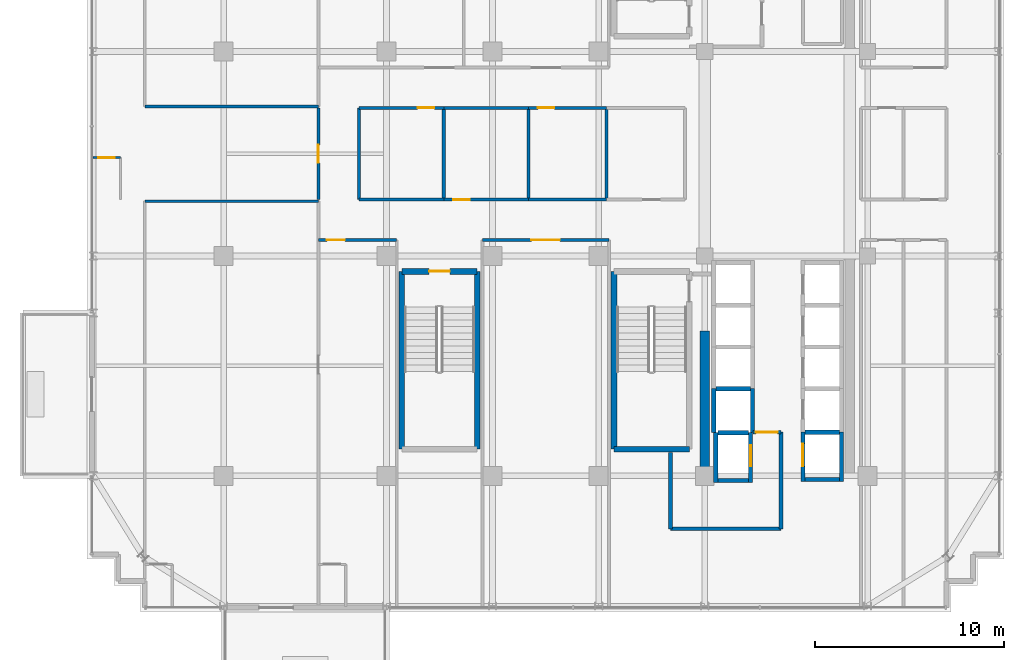
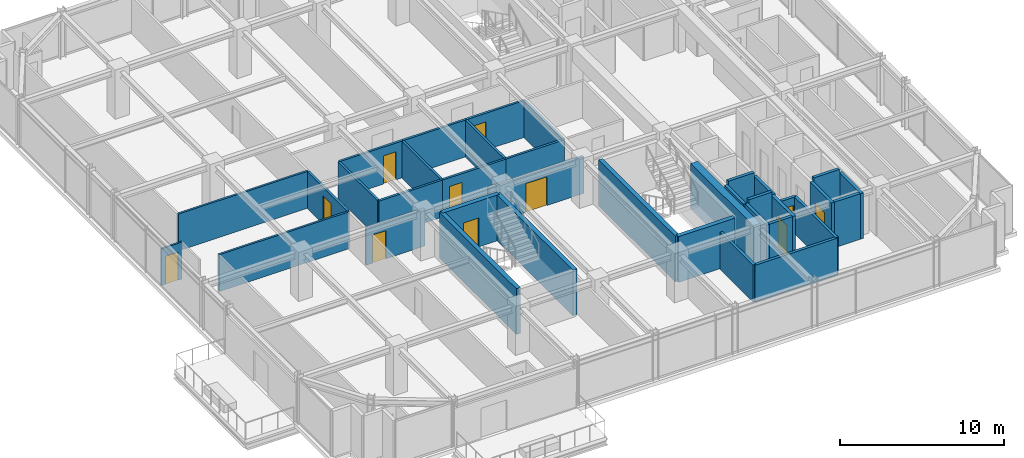
# One storey, part 29 of 35: 37 walls, 11 doors, 11 openings.
"""IFC4 building model written with IfcOpenShell, lengths in metres."""

from ifc_helpers import new_model, si_unit, direction, frame, frame_2d, origin, place, context, subcontext, project, spatial, rectangle, extrude, source, transform, mapped, material, layer, layer_set, type_object, element, fill, save


model = new_model("IFC4")

# Units and contexts
model_context = context("Model", 3, precision=1e-05, world=origin(), true_north=direction((0.0, 1.0)))
body_context = subcontext(model_context, "Body", "Model", "MODEL_VIEW")
ifc_project = project(units=[si_unit("LENGTHUNIT", "METRE"), si_unit("AREAUNIT", "SQUARE_METRE"), si_unit("VOLUMEUNIT", "CUBIC_METRE"), si_unit("PLANEANGLEUNIT", "RADIAN"), si_unit("MASSUNIT", "GRAM", prefix="KILO")], contexts=[model_context])

# Site, building, storey
site_placement = place(None, origin())
site = spatial("IfcSite", under=ifc_project, at=site_placement, CompositionType="ELEMENT")
building_placement = place(site_placement, origin())
building = spatial("IfcBuilding", under=site, at=building_placement, Name="Nahalor Promenade Grand Hotel", CompositionType="ELEMENT")
storey_placement = place(building_placement, frame((0.0, 0.0, 216.0)))
storey = spatial("IfcBuildingStorey", under=building, at=storey_placement, Name="L55", CompositionType="ELEMENT", Elevation=216.0)

# Walls
ifc_material_1 = material(Name="Concrete B-60 (C50/60)", Category="concrete")
ifc_layer_1 = layer(ifc_material_1, 0.5)
ifc_layer_set_1 = layer_set([ifc_layer_1], Name="Concrete B-60 (C50/60)")
wall_type_1 = type_object("IfcWallType", Name="Wall-CoreShear-500", PredefinedType="SHEAR", material=ifc_layer_set_1)
shared_shape_1 = source(origin(), body_context, "Body", "SweptSolid", [
    extrude(rectangle(XDim=7.64990234375, YDim=0.5, at=frame_2d((3.824951171875, 0.0))), origin(), (0.0, 0.0, 1.0), 3.409912109375),
])
wall_1_placement = place(storey_placement, frame((8.39990234375, -17.0, 0.0), z_axis=(0.0, 0.0, 1.0), x_axis=(0.0, 1.0, 0.0)))
element("IfcWall", 1, at=wall_1_placement, inside=storey, type_object=wall_type_1, Name="CWALL-L55-SW", PredefinedType="SHEAR", context=body_context, shape_type="MappedRepresentation", body=[
    mapped(shared_shape_1, transform((0.0, 0.0, 0.0), scale=1.0)),
])
ifc_material_2 = material(Name="Concrete B-50 (C40/50)", Category="concrete")
ifc_layer_2 = layer(ifc_material_2, 0.300048828125)
ifc_layer_set_2 = layer_set([ifc_layer_2], Name="Concrete B-50 (C40/50)")
wall_type_2 = type_object("IfcWallType", Name="Wall-ShaftShear-300", PredefinedType="SHEAR", material=ifc_layer_set_2)
shared_shape_2 = source(origin(), body_context, "Body", "SweptSolid", [
    extrude(rectangle(XDim=3.97998046875, YDim=0.300048828125, at=frame_2d((1.989990234375, 0.0))), origin(), (0.0, 0.0, 1.0), 3.409912109375),
])
wall_2_placement = place(storey_placement, frame((3.610107421875, -15.590087890625, 0.0), z_axis=(0.0, 0.0, 1.0), x_axis=(1.0, 0.0, 0.0)))
element("IfcWall", 2, at=wall_2_placement, inside=storey, type_object=wall_type_2, Name="L55 Exit Stair ST2 Shaft Wall S", PredefinedType="SHEAR", context=body_context, shape_type="MappedRepresentation", body=[
    mapped(shared_shape_2, transform((0.0, 0.0, 0.0), scale=1.0)),
])

# Wall, opening, door
wall_3_placement = place(storey_placement, frame((-7.590087890625, -6.2099609375, 0.0), z_axis=(0.0, 0.0, 1.0), x_axis=(1.0, 0.0, 0.0)))
wall_3 = element("IfcWall", 3, at=wall_3_placement, inside=storey, type_object=wall_type_2, Name="L55 Exit Stair ST3 Shaft Wall N", PredefinedType="SHEAR", context=body_context, shape_type="MappedRepresentation", body=[
    mapped(shared_shape_2, transform((0.0, 0.0, 0.0), scale=1.0)),
])
opening_1_placement = place(wall_3_placement, frame((1.43994140625, 0.0, 0.0)))
opening_1 = element("IfcOpeningElement", 4, at=opening_1_placement, cuts=wall_3, Name="Opening D-ST1", PredefinedType="OPENING", context=body_context, shape_type="SweptSolid", body=[
    extrude(rectangle(XDim=1.10009765625, YDim=2.14990234375, at=frame_2d((0.550048828125, 1.074951171875))), frame((0.0, 0.159912109375, 0.0), z_axis=(0.0, -1.0, 0.0), x_axis=(1.0, 0.0, 0.0)), (0.0, 0.0, 1.0), 0.320068359375),
])
ifc_material_3 = material(Name="Steel S355JR", Category="steel")
door_type_1 = type_object("IfcDoorType", Name="Door-StairFire-1100", OperationType="NOTDEFINED", PredefinedType="DOOR", material=ifc_material_3)
shared_shape_3 = source(origin(), body_context, "Body", "SweptSolid", [
    extrude(rectangle(XDim=1.10009765625, YDim=2.14990234375, at=frame_2d((0.550048828125, 1.074951171875))), frame((0.0, 0.02490234375, 0.0), z_axis=(0.0, -1.0, 0.0), x_axis=(1.0, 0.0, 0.0)), (0.0, 0.0, 1.0), 0.050048828125),
])
door_1_placement = place(opening_1_placement, frame((1.10009765625, 0.0, 0.0), z_axis=(0.0, 0.0, 1.0), x_axis=(-1.0, 0.0, 0.0)))
door_1 = element("IfcDoor", 5, at=door_1_placement, inside=storey, type_object=door_type_1, Name="DR-STAIR-ST3-L55", OperationType="SINGLE_SWING_RIGHT", OverallHeight=2.14990234375, OverallWidth=1.10009765625, PredefinedType="DOOR", context=body_context, shape_type="MappedRepresentation", body=[
    mapped(shared_shape_3, transform((0.0, 0.0, 0.0), scale=1.0)),
])
fill(opening_1, door_1)

# Walls
shared_shape_4 = source(origin(), body_context, "Body", "SweptSolid", [
    extrude(rectangle(XDim=9.380126953125, YDim=0.300048828125, at=frame_2d((4.68994140625, 0.0))), origin(), (0.0, 0.0, 1.0), 3.409912109375),
])
for number, where, z_axis, x_axis, name in (
    (6, (3.610107421875, -15.590087890625, 0.0), (0.0, 0.0, 1.0), (0.0, 1.0, 0.0), "L55 Exit Stair ST2 Shaft Wall W"),
    (7, (-7.590087890625, -15.590087890625, 0.0), (0.0, 0.0, 1.0), (0.0, 1.0, 0.0), "L55 Exit Stair ST3 Shaft Wall W"),
    (8, (-3.610107421875, -15.590087890625, 0.0), (0.0, 0.0, 1.0), (0.0, 1.0, 0.0), "L55 Exit Stair ST3 Shaft Wall E"),
):
    element("IfcWall", number, at=place(storey_placement, frame(where, z_axis=z_axis, x_axis=x_axis)), inside=storey, type_object=wall_type_2, Name=name, PredefinedType="SHEAR", context=body_context, shape_type="MappedRepresentation", body=[
        mapped(shared_shape_4, transform((0.0, 0.0, 0.0), scale=1.0)),
    ])
ifc_layer_3 = layer(ifc_material_2, 0.219970703125)
ifc_layer_set_3 = layer_set([ifc_layer_3], Name="Concrete B-50 (C40/50)")
wall_type_3 = type_object("IfcWallType", Name="Wall-LiftShaft-220", PredefinedType="SHEAR", material=ifc_layer_set_3)
shared_shape_5 = source(origin(), body_context, "Body", "SweptSolid", [
    extrude(rectangle(XDim=1.820068359375, YDim=0.219970703125, at=frame_2d((0.91015625, 0.0))), origin(), (0.0, 0.0, 1.0), 3.409912109375),
])
wall_4_placement = place(storey_placement, frame((13.68994140625, -17.199951171875, 0.0), z_axis=(0.0, 0.0, 1.0), x_axis=(1.0, 0.0, 0.0)))
element("IfcWall", 9, at=wall_4_placement, inside=storey, type_object=wall_type_3, Name="L55 Lift SV2 Hoistway Wall S", PredefinedType="SHEAR", context=body_context, shape_type="MappedRepresentation", body=[
    mapped(shared_shape_5, transform((0.0, 0.0, 0.0), scale=1.0)),
])
shared_shape_6 = source(origin(), body_context, "Body", "SweptSolid", [
    extrude(rectangle(XDim=1.820068359375, YDim=0.219970703125, at=frame_2d((0.91015625, 0.0))), origin(), (0.0, 0.0, 1.0), 3.699951171875),
])
for number, where, z_axis, x_axis, name in (
    (10, (8.989990234375, -12.39990234375, 0.0), (0.0, 0.0, 1.0), (1.0, 0.0, 0.0), "L55 Lift PL12 Hoistway Wall N"),
    (11, (13.68994140625, -14.699951171875, 0.0), (0.0, 0.0, 1.0), (1.0, 0.0, 0.0), "L55 Lift SV2 Hoistway Wall N"),
):
    element("IfcWall", number, at=place(storey_placement, frame(where, z_axis=z_axis, x_axis=x_axis)), inside=storey, type_object=wall_type_3, Name=name, PredefinedType="SHEAR", context=body_context, shape_type="MappedRepresentation", body=[
        mapped(shared_shape_6, transform((0.0, 0.0, 0.0), scale=1.0)),
    ])
shared_shape_7 = source(origin(), body_context, "Body", "SweptSolid", [
    extrude(rectangle(XDim=2.3251953125, YDim=0.219970703125, at=frame_2d((1.16259765625, 0.0))), origin(), (0.0, 0.0, 1.0), 3.409912109375),
])
for number, where, z_axis, x_axis, name in (
    (12, (8.8798828125, -14.72509765625, 0.0), (0.0, 0.0, 1.0), (0.0, 1.0, 0.0), "L55 Lift PL12 Hoistway Wall W"),
    (13, (10.919921875, -14.72509765625, 0.0), (0.0, 0.0, 1.0), (0.0, 1.0, 0.0), "L55 Lift PL12 Hoistway Wall E"),
):
    element("IfcWall", number, at=place(storey_placement, frame(where, z_axis=z_axis, x_axis=x_axis)), inside=storey, type_object=wall_type_3, Name=name, PredefinedType="SHEAR", context=body_context, shape_type="MappedRepresentation", body=[
        mapped(shared_shape_7, transform((0.0, 0.0, 0.0), scale=1.0)),
    ])
shared_shape_8 = source(origin(), body_context, "Body", "SweptSolid", [
    extrude(rectangle(XDim=2.635009765625, YDim=0.219970703125, at=frame_2d((1.3173828125, 0.0))), origin(), (0.0, 0.0, 1.0), 3.409912109375),
])
wall_5_placement = place(storey_placement, frame((8.97998046875, -17.360107421875, 0.0), z_axis=(0.0, 0.0, 1.0), x_axis=(0.0, 1.0, 0.0)))
element("IfcWall", 14, at=wall_5_placement, inside=storey, type_object=wall_type_3, Name="L55 Lift FL2 Hoistway Wall W", PredefinedType="SHEAR", context=body_context, shape_type="MappedRepresentation", body=[
    mapped(shared_shape_8, transform((0.0, 0.0, 0.0), scale=1.0)),
])

# Wall, opening, door
wall_6_placement = place(storey_placement, frame((10.820068359375, -17.360107421875, 0.0), z_axis=(0.0, 0.0, 1.0), x_axis=(0.0, 1.0, 0.0)))
wall_6 = element("IfcWall", 15, at=wall_6_placement, inside=storey, type_object=wall_type_3, Name="L55 Lift FL2 Hoistway Wall E", PredefinedType="SHEAR", context=body_context, shape_type="MappedRepresentation", body=[
    mapped(shared_shape_8, transform((0.0, 0.0, 0.0), scale=1.0)),
])
opening_2_placement = place(wall_6_placement, frame((0.860107421875, 0.0, 0.0)))
opening_2 = element("IfcOpeningElement", 16, at=opening_2_placement, cuts=wall_6, Name="Opening LD-02", PredefinedType="OPENING", context=body_context, shape_type="SweptSolid", body=[
    extrude(rectangle(XDim=1.10009765625, YDim=2.199951171875, at=frame_2d((0.550048828125, 1.10009765625))), frame((0.0, 0.119873046875, 0.0), z_axis=(0.0, -1.0, 0.0), x_axis=(1.0, 0.0, 0.0)), (0.0, 0.0, 1.0), 0.239990234375),
])
door_type_2 = type_object("IfcDoorType", Name="Door-LiftFF-1100", OperationType="DOUBLE_DOOR_SLIDING", PredefinedType="DOOR", material=ifc_material_3)
shared_shape_9 = source(origin(), body_context, "Body", "SweptSolid", [
    extrude(rectangle(XDim=1.10009765625, YDim=2.199951171875, at=frame_2d((0.550048828125, 1.10009765625))), frame((0.0, 0.02490234375, 0.0), z_axis=(0.0, -1.0, 0.0), x_axis=(1.0, 0.0, 0.0)), (0.0, 0.0, 1.0), 0.050048828125),
])
door_2_placement = place(opening_2_placement, frame((1.10009765625, 0.0, 0.0), z_axis=(0.0, 0.0, 1.0), x_axis=(-1.0, 0.0, 0.0)))
door_2 = element("IfcDoor", 17, at=door_2_placement, inside=storey, type_object=door_type_2, Name="DR-LIFT-FL2-L55", OperationType="DOUBLE_DOOR_SLIDING", OverallHeight=2.199951171875, OverallWidth=1.10009765625, PredefinedType="DOOR", context=body_context, shape_type="MappedRepresentation", body=[
    mapped(shared_shape_9, transform((0.0, 0.0, 0.0), scale=1.0)),
])
fill(opening_2, door_2)

# Walls
shared_shape_10 = source(origin(), body_context, "Body", "SweptSolid", [
    extrude(rectangle(XDim=1.619873046875, YDim=0.219970703125, at=frame_2d((0.81005859375, 0.0))), origin(), (0.0, 0.0, 1.0), 3.409912109375),
])
wall_7_placement = place(storey_placement, frame((9.090087890625, -17.25, 0.0), z_axis=(0.0, 0.0, 1.0), x_axis=(1.0, 0.0, 0.0)))
element("IfcWall", 18, at=wall_7_placement, inside=storey, type_object=wall_type_3, Name="L55 Lift FL2 Hoistway Wall S", PredefinedType="SHEAR", context=body_context, shape_type="MappedRepresentation", body=[
    mapped(shared_shape_10, transform((0.0, 0.0, 0.0), scale=1.0)),
])
shared_shape_11 = source(origin(), body_context, "Body", "SweptSolid", [
    extrude(rectangle(XDim=1.619873046875, YDim=0.219970703125, at=frame_2d((0.81005859375, 0.0))), origin(), (0.0, 0.0, 1.0), 3.699951171875),
])
wall_8_placement = place(storey_placement, frame((9.090087890625, -14.72509765625, 0.0), z_axis=(0.0, 0.0, 1.0), x_axis=(1.0, 0.0, 0.0)))
element("IfcWall", 19, at=wall_8_placement, inside=storey, type_object=wall_type_3, Name="L55 Lift FL2 Hoistway Wall N", PredefinedType="SHEAR", context=body_context, shape_type="MappedRepresentation", body=[
    mapped(shared_shape_11, transform((0.0, 0.0, 0.0), scale=1.0)),
])

# Wall, opening, door
shared_shape_12 = source(origin(), body_context, "Body", "SweptSolid", [
    extrude(rectangle(XDim=2.610107421875, YDim=0.219970703125, at=frame_2d((1.30517578125, 0.0))), origin(), (0.0, 0.0, 1.0), 3.409912109375),
])
wall_9_placement = place(storey_placement, frame((13.580078125, -17.31005859375, 0.0), z_axis=(0.0, 0.0, 1.0), x_axis=(0.0, 1.0, 0.0)))
wall_9 = element("IfcWall", 20, at=wall_9_placement, inside=storey, type_object=wall_type_3, Name="L55 Lift SV2 Hoistway Wall W", PredefinedType="SHEAR", context=body_context, shape_type="MappedRepresentation", body=[
    mapped(shared_shape_12, transform((0.0, 0.0, 0.0), scale=1.0)),
])
opening_3_placement = place(wall_9_placement, frame((0.81005859375, 0.0, 0.0)))
opening_3 = element("IfcOpeningElement", 21, at=opening_3_placement, cuts=wall_9, Name="Opening LD-03", PredefinedType="OPENING", context=body_context, shape_type="SweptSolid", body=[
    extrude(rectangle(XDim=1.199951171875, YDim=2.199951171875, at=frame_2d((0.60009765625, 1.10009765625))), frame((0.0, 0.119873046875, 0.0), z_axis=(0.0, -1.0, 0.0), x_axis=(1.0, 0.0, 0.0)), (0.0, 0.0, 1.0), 0.239990234375),
])
door_type_3 = type_object("IfcDoorType", Name="Door-LiftService-1200", OperationType="DOUBLE_DOOR_SLIDING", PredefinedType="DOOR", material=ifc_material_3)
shared_shape_13 = source(origin(), body_context, "Body", "SweptSolid", [
    extrude(rectangle(XDim=1.199951171875, YDim=2.199951171875, at=frame_2d((0.60009765625, 1.10009765625))), frame((0.0, 0.02490234375, 0.0), z_axis=(0.0, -1.0, 0.0), x_axis=(1.0, 0.0, 0.0)), (0.0, 0.0, 1.0), 0.050048828125),
])
door_3_placement = place(opening_3_placement, origin())
door_3 = element("IfcDoor", 22, at=door_3_placement, inside=storey, type_object=door_type_3, Name="DR-LIFT-SV2-L55", OperationType="DOUBLE_DOOR_SLIDING", OverallHeight=2.199951171875, OverallWidth=1.199951171875, PredefinedType="DOOR", context=body_context, shape_type="MappedRepresentation", body=[
    mapped(shared_shape_13, transform((0.0, 0.0, 0.0), scale=1.0)),
])
fill(opening_3, door_3)

# Walls
wall_10_placement = place(storey_placement, frame((15.6201171875, -17.31005859375, 0.0), z_axis=(0.0, 0.0, 1.0), x_axis=(0.0, 1.0, 0.0)))
element("IfcWall", 23, at=wall_10_placement, inside=storey, type_object=wall_type_3, Name="L55 Lift SV2 Hoistway Wall E", PredefinedType="SHEAR", context=body_context, shape_type="MappedRepresentation", body=[
    mapped(shared_shape_12, transform((0.0, 0.0, 0.0), scale=1.0)),
])
ifc_material_4 = material(Name="Concrete B-40 (C32/40)", Category="concrete")
ifc_layer_4 = layer(ifc_material_4, 0.199951171875)
ifc_layer_set_4 = layer_set([ifc_layer_4], Name="Concrete B-40 (C32/40)")
wall_type_4 = type_object("IfcWallType", Name="Wall-PartFire-200", PredefinedType="PARTITIONING", material=ifc_layer_set_4)
shared_shape_14 = source(origin(), body_context, "Body", "SweptSolid", [
    extrude(rectangle(XDim=5.81982421875, YDim=0.199951171875, at=frame_2d((2.909912109375, 0.0))), origin(), (0.0, 0.0, 1.0), 2.75),
])
wall_11_placement = place(storey_placement, frame((6.60009765625, -19.800048828125, 0.0), z_axis=(0.0, 0.0, 1.0), x_axis=(1.0, 0.0, 0.0)))
element("IfcWall", 24, at=wall_11_placement, inside=storey, type_object=wall_type_4, Name="W-L55-FF2-S1", PredefinedType="PARTITIONING", context=body_context, shape_type="MappedRepresentation", body=[
    mapped(shared_shape_14, transform((0.0, 0.0, 0.0), scale=1.0)),
])
shared_shape_15 = source(origin(), body_context, "Body", "SweptSolid", [
    extrude(rectangle(XDim=4.030029296875, YDim=0.199951171875, at=frame_2d((2.01513671875, 0.0))), origin(), (0.0, 0.0, 1.0), 2.75),
])
wall_12_placement = place(storey_placement, frame((6.60009765625, -19.800048828125, 0.0), z_axis=(0.0, 0.0, 1.0), x_axis=(0.0, 1.0, 0.0)))
element("IfcWall", 25, at=wall_12_placement, inside=storey, type_object=wall_type_4, Name="W-L55-FF2-W1", PredefinedType="PARTITIONING", context=body_context, shape_type="MappedRepresentation", body=[
    mapped(shared_shape_15, transform((0.0, 0.0, 0.0), scale=1.0)),
])
shared_shape_16 = source(origin(), body_context, "Body", "SweptSolid", [
    extrude(rectangle(XDim=5.10009765625, YDim=0.199951171875, at=frame_2d((2.550048828125, 0.0))), origin(), (0.0, 0.0, 1.0), 2.75),
])
wall_13_placement = place(storey_placement, frame((12.419921875, -19.800048828125, 0.0), z_axis=(0.0, 0.0, 1.0), x_axis=(0.0, 1.0, 0.0)))
element("IfcWall", 26, at=wall_13_placement, inside=storey, type_object=wall_type_4, Name="W-L55-FF2-E", PredefinedType="PARTITIONING", context=body_context, shape_type="MappedRepresentation", body=[
    mapped(shared_shape_16, transform((0.0, 0.0, 0.0), scale=1.0)),
])

# Wall, opening, door
shared_shape_17 = source(origin(), body_context, "Body", "SweptSolid", [
    extrude(rectangle(XDim=1.4599609375, YDim=0.199951171875, at=frame_2d((0.72998046875, 0.0))), origin(), (0.0, 0.0, 1.0), 2.75),
])
wall_14_placement = place(storey_placement, frame((10.9599609375, -14.699951171875, 0.0), z_axis=(0.0, 0.0, 1.0), x_axis=(1.0, 0.0, 0.0)))
wall_14 = element("IfcWall", 27, at=wall_14_placement, inside=storey, type_object=wall_type_4, Name="W-L55-FF2-N1", PredefinedType="PARTITIONING", context=body_context, shape_type="MappedRepresentation", body=[
    mapped(shared_shape_17, transform((0.0, 0.0, 0.0), scale=1.0)),
])
opening_4_placement = place(wall_14_placement, frame((0.14501953125, 0.0, 0.0)))
opening_4 = element("IfcOpeningElement", 28, at=opening_4_placement, cuts=wall_14, Name="Opening D-FF1", PredefinedType="OPENING", context=body_context, shape_type="SweptSolid", body=[
    extrude(rectangle(XDim=1.14990234375, YDim=2.14990234375, at=frame_2d((0.574951171875, 1.074951171875))), frame((0.0, 0.10986328125, 0.0), z_axis=(0.0, -1.0, 0.0), x_axis=(1.0, 0.0, 0.0)), (0.0, 0.0, 1.0), 0.219970703125),
])
door_type_4 = type_object("IfcDoorType", Name="Door-FFLobby-1150", OperationType="NOTDEFINED", PredefinedType="DOOR", material=ifc_material_3)
shared_shape_18 = source(origin(), body_context, "Body", "SweptSolid", [
    extrude(rectangle(XDim=1.14990234375, YDim=2.14990234375, at=frame_2d((0.574951171875, 1.074951171875))), frame((0.0, 0.02490234375, 0.0), z_axis=(0.0, -1.0, 0.0), x_axis=(1.0, 0.0, 0.0)), (0.0, 0.0, 1.0), 0.050048828125),
])
door_4_placement = place(opening_4_placement, origin())
door_4 = element("IfcDoor", 29, at=door_4_placement, inside=storey, type_object=door_type_4, Name="DR-L55-FFL2", OperationType="SINGLE_SWING_RIGHT", OverallHeight=2.14990234375, OverallWidth=1.14990234375, PredefinedType="DOOR", context=body_context, shape_type="MappedRepresentation", body=[
    mapped(shared_shape_18, transform((0.0, 0.0, 0.0), scale=1.0)),
])
fill(opening_4, door_4)

ifc_material_5 = material(Name="Acoustic Mineral Gypsum", Category="gypsum")
ifc_layer_5 = layer(ifc_material_5, 0.1201171875)
ifc_layer_set_5 = layer_set([ifc_layer_5], Name="Acoustic Mineral Gypsum")
wall_type_5 = type_object("IfcWallType", Name="Wall-PartBath-120", PredefinedType="PARTITIONING", material=ifc_layer_set_5)
shared_shape_19 = source(origin(), body_context, "Body", "SweptSolid", [
    extrude(rectangle(XDim=1.449951171875, YDim=0.1201171875, at=frame_2d((0.72509765625, 0.0))), origin(), (0.0, 0.0, 1.0), 2.75),
])
wall_15_placement = place(storey_placement, frame((-23.89990234375, -0.199951171875, 0.0), z_axis=(0.0, 0.0, 1.0), x_axis=(1.0, 0.0, 0.0)))
wall_15 = element("IfcWall", 30, at=wall_15_placement, inside=storey, type_object=wall_type_5, Name="W-L55-W1-BH", PredefinedType="PARTITIONING", context=body_context, shape_type="MappedRepresentation", body=[
    mapped(shared_shape_19, transform((0.0, 0.0, 0.0), scale=1.0)),
])
opening_5_placement = place(wall_15_placement, frame((0.284912109375, 0.0, 0.0)))
opening_5 = element("IfcOpeningElement", 31, at=opening_5_placement, cuts=wall_15, Name="Opening D-03", PredefinedType="OPENING", context=body_context, shape_type="SweptSolid", body=[
    extrude(rectangle(XDim=0.8798828125, YDim=2.10009765625, at=frame_2d((0.43994140625, 1.050048828125))), frame((0.0, 0.070068359375, 0.0), z_axis=(0.0, -1.0, 0.0), x_axis=(1.0, 0.0, 0.0)), (0.0, 0.0, 1.0), 0.14013671875),
])
ifc_material_6 = material(Name="Fire-Rated Timber Composite", Category="wood")
door_type_5 = type_object("IfcDoorType", Name="Door-BathSwing-880", OperationType="NOTDEFINED", PredefinedType="DOOR", material=ifc_material_6)
shared_shape_20 = source(origin(), body_context, "Body", "SweptSolid", [
    extrude(rectangle(XDim=0.8798828125, YDim=2.10009765625, at=frame_2d((0.43994140625, 1.050048828125))), frame((0.0, 0.02490234375, 0.0), z_axis=(0.0, -1.0, 0.0), x_axis=(1.0, 0.0, 0.0)), (0.0, 0.0, 1.0), 0.050048828125),
])
door_5_placement = place(opening_5_placement, frame((0.8798828125, 0.0, 0.0), z_axis=(0.0, 0.0, 1.0), x_axis=(-1.0, 0.0, 0.0)))
door_5 = element("IfcDoor", 32, at=door_5_placement, inside=storey, type_object=door_type_5, Name="DR-L55-W1-BATH", OperationType="SINGLE_SWING_LEFT", OverallHeight=2.10009765625, OverallWidth=0.8798828125, PredefinedType="DOOR", context=body_context, shape_type="MappedRepresentation", body=[
    mapped(shared_shape_20, transform((0.0, 0.0, 0.0), scale=1.0)),
])
fill(opening_5, door_5)

ifc_layer_6 = layer(ifc_material_5, 0.159912109375)
ifc_layer_set_6 = layer_set([ifc_layer_6], Name="Acoustic Mineral Gypsum")
wall_type_6 = type_object("IfcWallType", Name="Wall-PartCorridor-160", PredefinedType="PARTITIONING", material=ifc_layer_set_6)
shared_shape_21 = source(origin(), body_context, "Body", "SweptSolid", [
    extrude(rectangle(XDim=4.83984375, YDim=0.159912109375, at=frame_2d((2.419921875, 0.0))), origin(), (0.0, 0.0, 1.0), 2.75),
])
wall_16_placement = place(storey_placement, frame((-12.0, -2.419921875, 0.0), z_axis=(0.0, 0.0, 1.0), x_axis=(0.0, 1.0, 0.0)))
wall_16 = element("IfcWall", 33, at=wall_16_placement, inside=storey, type_object=wall_type_6, Name="W-L55-WEST-E", PredefinedType="PARTITIONING", context=body_context, shape_type="MappedRepresentation", body=[
    mapped(shared_shape_21, transform((0.0, 0.0, 0.0), scale=1.0)),
])
opening_6_placement = place(wall_16_placement, frame((1.945068359375, 0.0, 0.0)))
opening_6 = element("IfcOpeningElement", 34, at=opening_6_placement, cuts=wall_16, Name="Opening D-01", PredefinedType="OPENING", context=body_context, shape_type="SweptSolid", body=[
    extrude(rectangle(XDim=0.949951171875, YDim=2.10009765625, at=frame_2d((0.47509765625, 1.050048828125))), frame((0.0, 0.08984375, 0.0), z_axis=(0.0, -1.0, 0.0), x_axis=(1.0, 0.0, 0.0)), (0.0, 0.0, 1.0), 0.179931640625),
])
door_type_6 = type_object("IfcDoorType", Name="Door-GuestEntry-950", OperationType="NOTDEFINED", PredefinedType="DOOR", material=ifc_material_6)
shared_shape_22 = source(origin(), body_context, "Body", "SweptSolid", [
    extrude(rectangle(XDim=0.949951171875, YDim=2.10009765625, at=frame_2d((0.47509765625, 1.050048828125))), frame((0.0, 0.02490234375, 0.0), z_axis=(0.0, -1.0, 0.0), x_axis=(1.0, 0.0, 0.0)), (0.0, 0.0, 1.0), 0.050048828125),
])
door_6_placement = place(opening_6_placement, origin())
door_6 = element("IfcDoor", 35, at=door_6_placement, inside=storey, type_object=door_type_6, Name="DR-L55-W1-ENT", OperationType="SINGLE_SWING_RIGHT", OverallHeight=2.10009765625, OverallWidth=0.949951171875, PredefinedType="DOOR", context=body_context, shape_type="MappedRepresentation", body=[
    mapped(shared_shape_22, transform((0.0, 0.0, 0.0), scale=1.0)),
])
fill(opening_6, door_6)

# Walls
for number, where, z_axis, x_axis, name in (
    (36, (-9.85009765625, -2.419921875, 0.0), (0.0, 0.0, 1.0), (0.0, 1.0, 0.0), "W-L55-CM1-W"),
    (37, (-5.3779296875, -2.419921875, 0.0), (0.0, 0.0, 1.0), (0.0, 1.0, 0.0), "W-L55-CM1-E"),
    (38, (-0.906005859375, -2.419921875, 0.0), (0.0, 0.0, 1.0), (0.0, 1.0, 0.0), "W-L55-CM2-E"),
    (39, (3.221923828125, -2.419921875, 0.0), (0.0, 0.0, 1.0), (0.0, 1.0, 0.0), "W-L55-CM3-E"),
):
    element("IfcWall", number, at=place(storey_placement, frame(where, z_axis=z_axis, x_axis=x_axis)), inside=storey, type_object=wall_type_6, Name=name, PredefinedType="PARTITIONING", context=body_context, shape_type="MappedRepresentation", body=[
        mapped(shared_shape_21, transform((0.0, 0.0, 0.0), scale=1.0)),
    ])
ifc_layer_7 = layer(ifc_material_5, 0.139892578125)
ifc_layer_set_7 = layer_set([ifc_layer_7], Name="Acoustic Mineral Gypsum")
wall_type_7 = type_object("IfcWallType", Name="Wall-PartSuite-140", PredefinedType="PARTITIONING", material=ifc_layer_set_7)
shared_shape_23 = source(origin(), body_context, "Body", "SweptSolid", [
    extrude(rectangle(XDim=9.159912109375, YDim=0.139892578125, at=frame_2d((4.580078125, 0.0))), origin(), (0.0, 0.0, 1.0), 2.75),
])
for number, where, z_axis, x_axis, name in (
    (40, (-21.159912109375, 2.5, 0.0), (0.0, 0.0, 1.0), (1.0, 0.0, 0.0), "W-L55-ZNW-S"),
    (41, (-21.159912109375, -2.5, 0.0), (0.0, 0.0, 1.0), (1.0, 0.0, 0.0), "W-L55-ZSW-N"),
):
    element("IfcWall", number, at=place(storey_placement, frame(where, z_axis=z_axis, x_axis=x_axis)), inside=storey, type_object=wall_type_7, Name=name, PredefinedType="PARTITIONING", context=body_context, shape_type="MappedRepresentation", body=[
        mapped(shared_shape_23, transform((0.0, 0.0, 0.0), scale=1.0)),
    ])

# Wall, opening, door
shared_shape_24 = source(origin(), body_context, "Body", "SweptSolid", [
    extrude(rectangle(XDim=4.139892578125, YDim=0.159912109375, at=frame_2d((2.06982421875, 0.0))), origin(), (0.0, 0.0, 1.0), 2.75),
])
wall_17_placement = place(storey_placement, frame((-12.0, -4.550048828125, 0.0), z_axis=(0.0, 0.0, 1.0), x_axis=(1.0, 0.0, 0.0)))
wall_17 = element("IfcWall", 42, at=wall_17_placement, inside=storey, type_object=wall_type_6, Name="W-L55-CORR-S", PredefinedType="PARTITIONING", context=body_context, shape_type="MappedRepresentation", body=[
    mapped(shared_shape_24, transform((0.0, 0.0, 0.0), scale=1.0)),
])
opening_7_placement = place(wall_17_placement, frame((0.45703125, 0.0, 0.0)))
opening_7 = element("IfcOpeningElement", 43, at=opening_7_placement, cuts=wall_17, Name="Opening D-01", PredefinedType="OPENING", context=body_context, shape_type="SweptSolid", body=[
    extrude(rectangle(XDim=0.949951171875, YDim=2.10009765625, at=frame_2d((0.47509765625, 1.050048828125))), frame((0.0, 0.08984375, 0.0), z_axis=(0.0, -1.0, 0.0), x_axis=(1.0, 0.0, 0.0)), (0.0, 0.0, 1.0), 0.179931640625),
])
door_7_placement = place(opening_7_placement, frame((0.949951171875, 0.0, 0.0), z_axis=(0.0, 0.0, 1.0), x_axis=(-1.0, 0.0, 0.0)))
door_7 = element("IfcDoor", 44, at=door_7_placement, inside=storey, type_object=door_type_6, Name="DR-L55-S1-ENT", OperationType="SINGLE_SWING_RIGHT", OverallHeight=2.10009765625, OverallWidth=0.949951171875, PredefinedType="DOOR", context=body_context, shape_type="MappedRepresentation", body=[
    mapped(shared_shape_22, transform((0.0, 0.0, 0.0), scale=1.0)),
])
fill(opening_7, door_7)

shared_shape_25 = source(origin(), body_context, "Body", "SweptSolid", [
    extrude(rectangle(XDim=6.68017578125, YDim=0.159912109375, at=frame_2d((3.340087890625, 0.0))), origin(), (0.0, 0.0, 1.0), 2.75),
])
wall_18_placement = place(storey_placement, frame((-3.340087890625, -4.550048828125, 0.0), z_axis=(0.0, 0.0, 1.0), x_axis=(1.0, 0.0, 0.0)))
wall_18 = element("IfcWall", 45, at=wall_18_placement, inside=storey, type_object=wall_type_6, Name="W-L55-SCB-N", PredefinedType="PARTITIONING", context=body_context, shape_type="MappedRepresentation", body=[
    mapped(shared_shape_25, transform((0.0, 0.0, 0.0), scale=1.0)),
])
opening_8_placement = place(wall_18_placement, frame((2.590087890625, 0.0, 0.0)))
opening_8 = element("IfcOpeningElement", 46, at=opening_8_placement, cuts=wall_18, Name="Opening D-02", PredefinedType="OPENING", context=body_context, shape_type="SweptSolid", body=[
    extrude(rectangle(XDim=1.5, YDim=2.14990234375, at=frame_2d((0.75, 1.074951171875))), frame((0.0, 0.08984375, 0.0), z_axis=(0.0, -1.0, 0.0), x_axis=(1.0, 0.0, 0.0)), (0.0, 0.0, 1.0), 0.179931640625),
])
door_type_7 = type_object("IfcDoorType", Name="Door-SuiteDouble-1500", OperationType="DOUBLE_DOOR_SINGLE_SWING", PredefinedType="DOOR", material=ifc_material_6)
shared_shape_26 = source(origin(), body_context, "Body", "SweptSolid", [
    extrude(rectangle(XDim=1.5, YDim=2.14990234375, at=frame_2d((0.75, 1.074951171875))), frame((0.0, 0.02490234375, 0.0), z_axis=(0.0, -1.0, 0.0), x_axis=(1.0, 0.0, 0.0)), (0.0, 0.0, 1.0), 0.050048828125),
])
door_8_placement = place(opening_8_placement, frame((1.5, 0.0, 0.0), z_axis=(0.0, 0.0, 1.0), x_axis=(-1.0, 0.0, 0.0)))
door_8 = element("IfcDoor", 47, at=door_8_placement, inside=storey, type_object=door_type_7, Name="DR-L55-SCB", OperationType="DOUBLE_DOOR_SINGLE_SWING", OverallHeight=2.14990234375, OverallWidth=1.5, PredefinedType="DOOR", context=body_context, shape_type="MappedRepresentation", body=[
    mapped(shared_shape_26, transform((0.0, 0.0, 0.0), scale=1.0)),
])
fill(opening_8, door_8)

# Wall
shared_shape_27 = source(origin(), body_context, "Body", "SweptSolid", [
    extrude(rectangle(XDim=4.47216796875, YDim=0.159912109375, at=frame_2d((2.236083984375, 0.0))), origin(), (0.0, 0.0, 1.0), 2.75),
])
wall_19_placement = place(storey_placement, frame((-9.85009765625, -2.419921875, 0.0), z_axis=(0.0, 0.0, 1.0), x_axis=(1.0, 0.0, 0.0)))
element("IfcWall", 48, at=wall_19_placement, inside=storey, type_object=wall_type_6, Name="W-L55-CM1-S", PredefinedType="PARTITIONING", context=body_context, shape_type="MappedRepresentation", body=[
    mapped(shared_shape_27, transform((0.0, 0.0, 0.0), scale=1.0)),
])

# Wall, opening, door
wall_20_placement = place(storey_placement, frame((-9.85009765625, 2.419921875, 0.0), z_axis=(0.0, 0.0, 1.0), x_axis=(1.0, 0.0, 0.0)))
wall_20 = element("IfcWall", 49, at=wall_20_placement, inside=storey, type_object=wall_type_6, Name="W-L55-CM1-N", PredefinedType="PARTITIONING", context=body_context, shape_type="MappedRepresentation", body=[
    mapped(shared_shape_27, transform((0.0, 0.0, 0.0), scale=1.0)),
])
opening_9_placement = place(wall_20_placement, frame((3.093017578125, 0.0, 0.0)))
opening_9 = element("IfcOpeningElement", 50, at=opening_9_placement, cuts=wall_20, Name="Opening D-03", PredefinedType="OPENING", context=body_context, shape_type="SweptSolid", body=[
    extrude(rectangle(XDim=0.8798828125, YDim=2.10009765625, at=frame_2d((0.43994140625, 1.050048828125))), frame((0.0, 0.08984375, 0.0), z_axis=(0.0, -1.0, 0.0), x_axis=(1.0, 0.0, 0.0)), (0.0, 0.0, 1.0), 0.179931640625),
])
door_9_placement = place(opening_9_placement, frame((0.8798828125, 0.0, 0.0), z_axis=(0.0, 0.0, 1.0), x_axis=(-1.0, 0.0, 0.0)))
door_9 = element("IfcDoor", 51, at=door_9_placement, inside=storey, type_object=door_type_5, Name="DR-L55-CM1", OperationType="SINGLE_SWING_LEFT", OverallHeight=2.10009765625, OverallWidth=0.8798828125, PredefinedType="DOOR", context=body_context, shape_type="MappedRepresentation", body=[
    mapped(shared_shape_20, transform((0.0, 0.0, 0.0), scale=1.0)),
])
fill(opening_9, door_9)

shared_shape_28 = source(origin(), body_context, "Body", "SweptSolid", [
    extrude(rectangle(XDim=4.471923828125, YDim=0.159912109375, at=frame_2d((2.23583984375, 0.0))), origin(), (0.0, 0.0, 1.0), 2.75),
])
wall_21_placement = place(storey_placement, frame((-5.3779296875, -2.419921875, 0.0), z_axis=(0.0, 0.0, 1.0), x_axis=(1.0, 0.0, 0.0)))
wall_21 = element("IfcWall", 52, at=wall_21_placement, inside=storey, type_object=wall_type_6, Name="W-L55-CM2-S", PredefinedType="PARTITIONING", context=body_context, shape_type="MappedRepresentation", body=[
    mapped(shared_shape_28, transform((0.0, 0.0, 0.0), scale=1.0)),
])
opening_10_placement = place(wall_21_placement, frame((0.4990234375, 0.0, 0.0)))
opening_10 = element("IfcOpeningElement", 53, at=opening_10_placement, cuts=wall_21, Name="Opening D-03", PredefinedType="OPENING", context=body_context, shape_type="SweptSolid", body=[
    extrude(rectangle(XDim=0.8798828125, YDim=2.10009765625, at=frame_2d((0.43994140625, 1.050048828125))), frame((0.0, 0.08984375, 0.0), z_axis=(0.0, -1.0, 0.0), x_axis=(1.0, 0.0, 0.0)), (0.0, 0.0, 1.0), 0.179931640625),
])
door_10_placement = place(opening_10_placement, origin())
door_10 = element("IfcDoor", 54, at=door_10_placement, inside=storey, type_object=door_type_5, Name="DR-L55-CM2", OperationType="SINGLE_SWING_RIGHT", OverallHeight=2.10009765625, OverallWidth=0.8798828125, PredefinedType="DOOR", context=body_context, shape_type="MappedRepresentation", body=[
    mapped(shared_shape_20, transform((0.0, 0.0, 0.0), scale=1.0)),
])
fill(opening_10, door_10)

# Walls
wall_22_placement = place(storey_placement, frame((-5.3779296875, 2.419921875, 0.0), z_axis=(0.0, 0.0, 1.0), x_axis=(1.0, 0.0, 0.0)))
element("IfcWall", 55, at=wall_22_placement, inside=storey, type_object=wall_type_6, Name="W-L55-CM2-N", PredefinedType="PARTITIONING", context=body_context, shape_type="MappedRepresentation", body=[
    mapped(shared_shape_28, transform((0.0, 0.0, 0.0), scale=1.0)),
])
shared_shape_29 = source(origin(), body_context, "Body", "SweptSolid", [
    extrude(rectangle(XDim=4.1279296875, YDim=0.159912109375, at=frame_2d((2.06396484375, 0.0))), origin(), (0.0, 0.0, 1.0), 2.75),
])
wall_23_placement = place(storey_placement, frame((-0.906005859375, -2.419921875, 0.0), z_axis=(0.0, 0.0, 1.0), x_axis=(1.0, 0.0, 0.0)))
element("IfcWall", 56, at=wall_23_placement, inside=storey, type_object=wall_type_6, Name="W-L55-CM3-S", PredefinedType="PARTITIONING", context=body_context, shape_type="MappedRepresentation", body=[
    mapped(shared_shape_29, transform((0.0, 0.0, 0.0), scale=1.0)),
])

# Wall, opening, door
wall_24_placement = place(storey_placement, frame((-0.906005859375, 2.419921875, 0.0), z_axis=(0.0, 0.0, 1.0), x_axis=(1.0, 0.0, 0.0)))
wall_24 = element("IfcWall", 57, at=wall_24_placement, inside=storey, type_object=wall_type_6, Name="W-L55-CM3-N", PredefinedType="PARTITIONING", context=body_context, shape_type="MappedRepresentation", body=[
    mapped(shared_shape_29, transform((0.0, 0.0, 0.0), scale=1.0)),
])
opening_11_placement = place(wall_24_placement, frame((0.490966796875, 0.0, 0.0)))
opening_11 = element("IfcOpeningElement", 58, at=opening_11_placement, cuts=wall_24, Name="Opening D-03", PredefinedType="OPENING", context=body_context, shape_type="SweptSolid", body=[
    extrude(rectangle(XDim=0.8798828125, YDim=2.10009765625, at=frame_2d((0.43994140625, 1.050048828125))), frame((0.0, 0.08984375, 0.0), z_axis=(0.0, -1.0, 0.0), x_axis=(1.0, 0.0, 0.0)), (0.0, 0.0, 1.0), 0.179931640625),
])
door_11_placement = place(opening_11_placement, frame((0.8798828125, 0.0, 0.0), z_axis=(0.0, 0.0, 1.0), x_axis=(-1.0, 0.0, 0.0)))
door_11 = element("IfcDoor", 59, at=door_11_placement, inside=storey, type_object=door_type_5, Name="DR-L55-CM3", OperationType="SINGLE_SWING_LEFT", OverallHeight=2.10009765625, OverallWidth=0.8798828125, PredefinedType="DOOR", context=body_context, shape_type="MappedRepresentation", body=[
    mapped(shared_shape_20, transform((0.0, 0.0, 0.0), scale=1.0)),
])
fill(opening_11, door_11)

save(model, "model.ifc")
